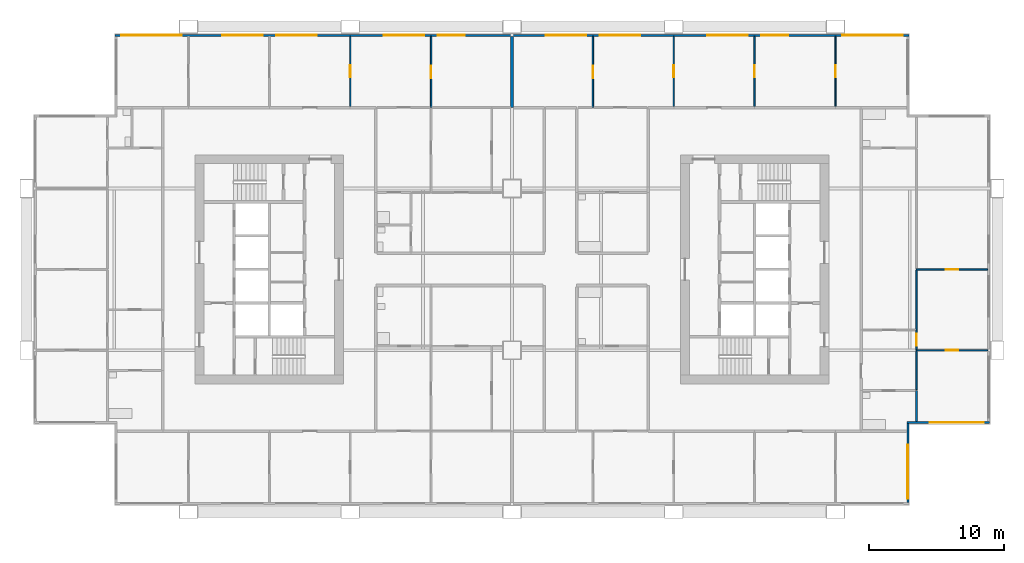
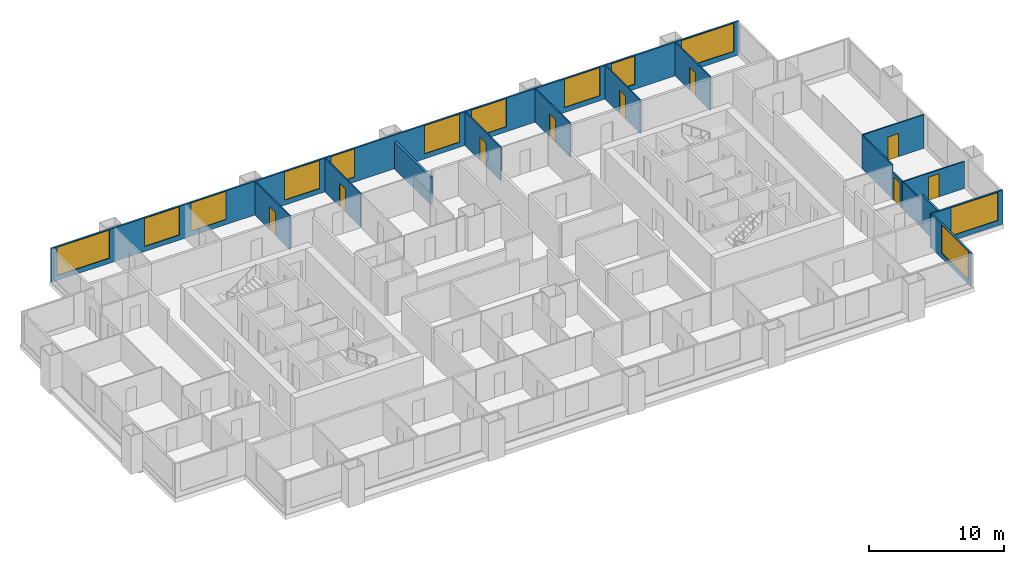
# One storey, part 8 of 11: 16 walls, 12 windows, 9 doors, 21 openings.
"""IFC4 building model written with IfcOpenShell, lengths in metres."""

from ifc_helpers import new_model, si_unit, direction, frame, frame_2d, origin, place, context, subcontext, project, spatial, rectangle, extrude, material, layer, layer_set, type_object, element, fill, save


model = new_model("IFC4")

# Units and contexts
model_context = context("Model", 3, precision=1e-05, world=origin(), true_north=direction((0.0, 1.0)))
body_context = subcontext(model_context, "Body", "Model", "MODEL_VIEW")
ifc_project = project(units=[si_unit("LENGTHUNIT", "METRE"), si_unit("AREAUNIT", "SQUARE_METRE"), si_unit("VOLUMEUNIT", "CUBIC_METRE"), si_unit("PLANEANGLEUNIT", "RADIAN"), si_unit("MASSUNIT", "GRAM", prefix="KILO")], contexts=[model_context])

# Site, building, storey
site_placement = place(None, origin())
site = spatial("IfcSite", under=ifc_project, at=site_placement, CompositionType="ELEMENT")
building_placement = place(site_placement, origin())
building = spatial("IfcBuilding", under=site, at=building_placement, Name="Kitamizu Gate Tower and Museum", CompositionType="ELEMENT")
storey_placement = place(building_placement, frame((0.0, 0.0, 127.64990234375)))
storey = spatial("IfcBuildingStorey", under=building, at=storey_placement, Name="L33", CompositionType="ELEMENT", Elevation=127.64990234375)

# Wall, opening, door
ifc_material_1 = material(Name="Gypsum board on galvanised stud")
ifc_layer_1 = layer(ifc_material_1, 0.10009765625)
ifc_layer_set_1 = layer_set([ifc_layer_1], Name="Gypsum board on galvanised stud")
wall_type_1 = type_object("IfcWallType", Name="Partition 100 NOT RATED", PredefinedType="PARTITIONING", material=ifc_layer_set_1)
wall_1_placement = place(storey_placement, frame((24.0, 42.10009765625, 0.0), z_axis=(0.0, 0.0, 1.0), x_axis=(0.0, 1.0, 0.0)))
wall_1 = element("IfcWall", 1, at=wall_1_placement, inside=storey, type_object=wall_type_1, Name="Partition L33-055", PredefinedType="PARTITIONING", context=body_context, shape_type="SweptSolid", body=[
    extrude(rectangle(XDim=5.179931640625, YDim=0.10009765625, at=frame_2d((2.58984375, 0.0))), origin(), (0.0, 0.0, 1.0), 3.050048828125),
])
opening_1_placement = place(wall_1_placement, frame((2.139892578125, 0.0, 0.0)))
opening_1 = element("IfcOpeningElement", 2, at=opening_1_placement, cuts=wall_1, Name="Opening L33-020", PredefinedType="OPENING", context=body_context, shape_type="SweptSolid", body=[
    extrude(rectangle(XDim=0.89990234375, YDim=2.10009765625, at=frame_2d((0.449951171875, 1.050048828125))), frame((0.0, 0.06005859375, 0.0), z_axis=(0.0, -1.0, 0.0), x_axis=(1.0, 0.0, 0.0)), (0.0, 0.0, 1.0), 0.1201171875),
])
ifc_material_2 = material(Name="Timber door set", Category="wood")
door_type = type_object("IfcDoorType", Name="Room door 900", OperationType="NOTDEFINED", PredefinedType="DOOR", material=ifc_material_2)
door_1_placement = place(opening_1_placement, frame((0.89990234375, 0.0, 0.0), x_axis=(-1.0, 0.0, 0.0)))
door_1 = element("IfcDoor", 3, at=door_1_placement, inside=storey, type_object=door_type, Name="Door L33-020", OperationType="SINGLE_SWING_RIGHT", OverallHeight=2.10009765625, OverallWidth=0.89990234375, PredefinedType="DOOR", context=body_context, shape_type="SweptSolid", body=[
    extrude(rectangle(XDim=0.89990234375, YDim=2.10009765625, at=frame_2d((0.449951171875, 1.050048828125))), frame((0.0, 0.02490234375, 0.0), z_axis=(0.0, -1.0, 0.0), x_axis=(1.0, 0.0, 0.0)), (0.0, 0.0, 1.0), 0.050048828125),
])
fill(opening_1, door_1)

wall_2_placement = place(storey_placement, frame((30.0, 42.0, 0.0), z_axis=(0.0, 0.0, 1.0), x_axis=(0.0, 1.0, 0.0)))
wall_2 = element("IfcWall", 4, at=wall_2_placement, inside=storey, type_object=wall_type_1, Name="Partition L33-057", PredefinedType="PARTITIONING", context=body_context, shape_type="SweptSolid", body=[
    extrude(rectangle(XDim=5.280029296875, YDim=0.10009765625, at=frame_2d((2.64013671875, 0.0))), origin(), (0.0, 0.0, 1.0), 3.050048828125),
])
opening_2_placement = place(wall_2_placement, frame((2.18994140625, 0.0, 0.0)))
opening_2 = element("IfcOpeningElement", 5, at=opening_2_placement, cuts=wall_2, Name="Opening L33-022", PredefinedType="OPENING", context=body_context, shape_type="SweptSolid", body=[
    extrude(rectangle(XDim=0.89990234375, YDim=2.10009765625, at=frame_2d((0.449951171875, 1.050048828125))), frame((0.0, 0.06005859375, 0.0), z_axis=(0.0, -1.0, 0.0), x_axis=(1.0, 0.0, 0.0)), (0.0, 0.0, 1.0), 0.1201171875),
])
door_2_placement = place(opening_2_placement, origin())
door_2 = element("IfcDoor", 6, at=door_2_placement, inside=storey, type_object=door_type, Name="Door L33-022", OperationType="SINGLE_SWING_LEFT", OverallHeight=2.10009765625, OverallWidth=0.89990234375, PredefinedType="DOOR", context=body_context, shape_type="SweptSolid", body=[
    extrude(rectangle(XDim=0.89990234375, YDim=2.10009765625, at=frame_2d((0.449951171875, 1.050048828125))), frame((0.0, 0.02490234375, 0.0), z_axis=(0.0, -1.0, 0.0), x_axis=(1.0, 0.0, 0.0)), (0.0, 0.0, 1.0), 0.050048828125),
])
fill(opening_2, door_2)

wall_3_placement = place(storey_placement, frame((42.0, 42.0, 0.0), z_axis=(0.0, 0.0, 1.0), x_axis=(0.0, 1.0, 0.0)))
wall_3 = element("IfcWall", 7, at=wall_3_placement, inside=storey, type_object=wall_type_1, Name="Partition L33-106", PredefinedType="PARTITIONING", context=body_context, shape_type="SweptSolid", body=[
    extrude(rectangle(XDim=5.280029296875, YDim=0.10009765625, at=frame_2d((2.64013671875, 0.0))), origin(), (0.0, 0.0, 1.0), 3.050048828125),
])
opening_3_placement = place(wall_3_placement, frame((2.18994140625, 0.0, 0.0)))
opening_3 = element("IfcOpeningElement", 8, at=opening_3_placement, cuts=wall_3, Name="Opening L33-042", PredefinedType="OPENING", context=body_context, shape_type="SweptSolid", body=[
    extrude(rectangle(XDim=0.89990234375, YDim=2.10009765625, at=frame_2d((0.449951171875, 1.050048828125))), frame((0.0, 0.06005859375, 0.0), z_axis=(0.0, -1.0, 0.0), x_axis=(1.0, 0.0, 0.0)), (0.0, 0.0, 1.0), 0.1201171875),
])
door_3_placement = place(opening_3_placement, origin())
door_3 = element("IfcDoor", 9, at=door_3_placement, inside=storey, type_object=door_type, Name="Door L33-042", OperationType="SINGLE_SWING_RIGHT", OverallHeight=2.10009765625, OverallWidth=0.89990234375, PredefinedType="DOOR", context=body_context, shape_type="SweptSolid", body=[
    extrude(rectangle(XDim=0.89990234375, YDim=2.10009765625, at=frame_2d((0.449951171875, 1.050048828125))), frame((0.0, 0.02490234375, 0.0), z_axis=(0.0, -1.0, 0.0), x_axis=(1.0, 0.0, 0.0)), (0.0, 0.0, 1.0), 0.050048828125),
])
fill(opening_3, door_3)

wall_4_placement = place(storey_placement, frame((48.0, 42.10009765625, 0.0), z_axis=(0.0, 0.0, 1.0), x_axis=(0.0, 1.0, 0.0)))
wall_4 = element("IfcWall", 10, at=wall_4_placement, inside=storey, type_object=wall_type_1, Name="Partition L33-109", PredefinedType="PARTITIONING", context=body_context, shape_type="SweptSolid", body=[
    extrude(rectangle(XDim=5.179931640625, YDim=0.10009765625, at=frame_2d((2.58984375, 0.0))), origin(), (0.0, 0.0, 1.0), 3.050048828125),
])
opening_4_placement = place(wall_4_placement, frame((2.139892578125, 0.0, 0.0)))
opening_4 = element("IfcOpeningElement", 11, at=opening_4_placement, cuts=wall_4, Name="Opening L33-039", PredefinedType="OPENING", context=body_context, shape_type="SweptSolid", body=[
    extrude(rectangle(XDim=0.89990234375, YDim=2.10009765625, at=frame_2d((0.449951171875, 1.050048828125))), frame((0.0, 0.06005859375, 0.0), z_axis=(0.0, -1.0, 0.0), x_axis=(1.0, 0.0, 0.0)), (0.0, 0.0, 1.0), 0.1201171875),
])
door_4_placement = place(opening_4_placement, origin())
door_4 = element("IfcDoor", 12, at=door_4_placement, inside=storey, type_object=door_type, Name="Door L33-039", OperationType="SINGLE_SWING_LEFT", OverallHeight=2.10009765625, OverallWidth=0.89990234375, PredefinedType="DOOR", context=body_context, shape_type="SweptSolid", body=[
    extrude(rectangle(XDim=0.89990234375, YDim=2.10009765625, at=frame_2d((0.449951171875, 1.050048828125))), frame((0.0, 0.02490234375, 0.0), z_axis=(0.0, -1.0, 0.0), x_axis=(1.0, 0.0, 0.0)), (0.0, 0.0, 1.0), 0.050048828125),
])
fill(opening_4, door_4)

wall_5_placement = place(storey_placement, frame((54.0, 42.10009765625, 0.0), z_axis=(0.0, 0.0, 1.0), x_axis=(0.0, 1.0, 0.0)))
wall_5 = element("IfcWall", 13, at=wall_5_placement, inside=storey, type_object=wall_type_1, Name="Partition L33-112", PredefinedType="PARTITIONING", context=body_context, shape_type="SweptSolid", body=[
    extrude(rectangle(XDim=5.179931640625, YDim=0.10009765625, at=frame_2d((2.58984375, 0.0))), origin(), (0.0, 0.0, 1.0), 3.050048828125),
])
opening_5_placement = place(wall_5_placement, frame((2.139892578125, 0.0, 0.0)))
opening_5 = element("IfcOpeningElement", 14, at=opening_5_placement, cuts=wall_5, Name="Opening L33-040", PredefinedType="OPENING", context=body_context, shape_type="SweptSolid", body=[
    extrude(rectangle(XDim=0.89990234375, YDim=2.10009765625, at=frame_2d((0.449951171875, 1.050048828125))), frame((0.0, 0.06005859375, 0.0), z_axis=(0.0, -1.0, 0.0), x_axis=(1.0, 0.0, 0.0)), (0.0, 0.0, 1.0), 0.1201171875),
])
door_5_placement = place(opening_5_placement, frame((0.89990234375, 0.0, 0.0), x_axis=(-1.0, 0.0, 0.0)))
door_5 = element("IfcDoor", 15, at=door_5_placement, inside=storey, type_object=door_type, Name="Door L33-040", OperationType="SINGLE_SWING_LEFT", OverallHeight=2.10009765625, OverallWidth=0.89990234375, PredefinedType="DOOR", context=body_context, shape_type="SweptSolid", body=[
    extrude(rectangle(XDim=0.89990234375, YDim=2.10009765625, at=frame_2d((0.449951171875, 1.050048828125))), frame((0.0, 0.02490234375, 0.0), z_axis=(0.0, -1.0, 0.0), x_axis=(1.0, 0.0, 0.0)), (0.0, 0.0, 1.0), 0.050048828125),
])
fill(opening_5, door_5)

wall_6_placement = place(storey_placement, frame((60.0, 42.10009765625, 0.0), z_axis=(0.0, 0.0, 1.0), x_axis=(0.0, 1.0, 0.0)))
wall_6 = element("IfcWall", 16, at=wall_6_placement, inside=storey, type_object=wall_type_1, Name="Partition L33-114", PredefinedType="PARTITIONING", context=body_context, shape_type="SweptSolid", body=[
    extrude(rectangle(XDim=5.179931640625, YDim=0.10009765625, at=frame_2d((2.58984375, 0.0))), origin(), (0.0, 0.0, 1.0), 3.050048828125),
])
opening_6_placement = place(wall_6_placement, frame((2.139892578125, 0.0, 0.0)))
opening_6 = element("IfcOpeningElement", 17, at=opening_6_placement, cuts=wall_6, Name="Opening L33-041", PredefinedType="OPENING", context=body_context, shape_type="SweptSolid", body=[
    extrude(rectangle(XDim=0.89990234375, YDim=2.10009765625, at=frame_2d((0.449951171875, 1.050048828125))), frame((0.0, 0.06005859375, 0.0), z_axis=(0.0, -1.0, 0.0), x_axis=(1.0, 0.0, 0.0)), (0.0, 0.0, 1.0), 0.1201171875),
])
door_6_placement = place(opening_6_placement, frame((0.89990234375, 0.0, 0.0), x_axis=(-1.0, 0.0, 0.0)))
door_6 = element("IfcDoor", 18, at=door_6_placement, inside=storey, type_object=door_type, Name="Door L33-041", OperationType="SINGLE_SWING_RIGHT", OverallHeight=2.10009765625, OverallWidth=0.89990234375, PredefinedType="DOOR", context=body_context, shape_type="SweptSolid", body=[
    extrude(rectangle(XDim=0.89990234375, YDim=2.10009765625, at=frame_2d((0.449951171875, 1.050048828125))), frame((0.0, 0.02490234375, 0.0), z_axis=(0.0, -1.0, 0.0), x_axis=(1.0, 0.0, 0.0)), (0.0, 0.0, 1.0), 0.050048828125),
])
fill(opening_6, door_6)

wall_7_placement = place(storey_placement, frame((71.280029296875, 24.0, 0.0), z_axis=(0.0, 0.0, 1.0), x_axis=(-1.0, 0.0, 0.0)))
wall_7 = element("IfcWall", 19, at=wall_7_placement, inside=storey, type_object=wall_type_1, Name="Partition L33-125", PredefinedType="PARTITIONING", context=body_context, shape_type="SweptSolid", body=[
    extrude(rectangle(XDim=5.280029296875, YDim=0.10009765625, at=frame_2d((2.64013671875, 0.0))), origin(), (0.0, 0.0, 1.0), 2.4501953125),
])
opening_7_placement = place(wall_7_placement, frame((2.18994140625, 0.0, 0.0)))
opening_7 = element("IfcOpeningElement", 20, at=opening_7_placement, cuts=wall_7, Name="Opening L33-049", PredefinedType="OPENING", context=body_context, shape_type="SweptSolid", body=[
    extrude(rectangle(XDim=0.89990234375, YDim=2.10009765625, at=frame_2d((0.449951171875, 1.050048828125))), frame((0.0, 0.06005859375, 0.0), z_axis=(0.0, -1.0, 0.0), x_axis=(1.0, 0.0, 0.0)), (0.0, 0.0, 1.0), 0.1201171875),
])
door_7_placement = place(opening_7_placement, origin())
door_7 = element("IfcDoor", 21, at=door_7_placement, inside=storey, type_object=door_type, Name="Door L33-049", OperationType="SINGLE_SWING_LEFT", OverallHeight=2.10009765625, OverallWidth=0.89990234375, PredefinedType="DOOR", context=body_context, shape_type="SweptSolid", body=[
    extrude(rectangle(XDim=0.89990234375, YDim=2.10009765625, at=frame_2d((0.449951171875, 1.050048828125))), frame((0.0, 0.02490234375, 0.0), z_axis=(0.0, -1.0, 0.0), x_axis=(1.0, 0.0, 0.0)), (0.0, 0.0, 1.0), 0.050048828125),
])
fill(opening_7, door_7)

# Wall
wall_8_placement = place(storey_placement, frame((66.0, 23.949951171875, 0.0), z_axis=(0.0, 0.0, 1.0), x_axis=(0.0, -1.0, 0.0)))
element("IfcWall", 22, at=wall_8_placement, inside=storey, type_object=wall_type_1, Name="Partition L33-127", PredefinedType="PARTITIONING", context=body_context, shape_type="SweptSolid", body=[
    extrude(rectangle(XDim=2.875, YDim=0.10009765625, at=frame_2d((1.4375, 0.0))), origin(), (0.0, 0.0, 1.0), 2.4501953125),
])

# Wall, opening, door
wall_9_placement = place(storey_placement, frame((71.280029296875, 30.0, 0.0), z_axis=(0.0, 0.0, 1.0), x_axis=(-1.0, 0.0, 0.0)))
wall_9 = element("IfcWall", 23, at=wall_9_placement, inside=storey, type_object=wall_type_1, Name="Partition L33-128", PredefinedType="PARTITIONING", context=body_context, shape_type="SweptSolid", body=[
    extrude(rectangle(XDim=5.280029296875, YDim=0.10009765625, at=frame_2d((2.64013671875, 0.0))), origin(), (0.0, 0.0, 1.0), 3.050048828125),
])
opening_8_placement = place(wall_9_placement, frame((2.18994140625, 0.0, 0.0)))
opening_8 = element("IfcOpeningElement", 24, at=opening_8_placement, cuts=wall_9, Name="Opening L33-048", PredefinedType="OPENING", context=body_context, shape_type="SweptSolid", body=[
    extrude(rectangle(XDim=0.89990234375, YDim=2.10009765625, at=frame_2d((0.449951171875, 1.050048828125))), frame((0.0, 0.06005859375, 0.0), z_axis=(0.0, -1.0, 0.0), x_axis=(1.0, 0.0, 0.0)), (0.0, 0.0, 1.0), 0.1201171875),
])
door_8_placement = place(opening_8_placement, origin())
door_8 = element("IfcDoor", 25, at=door_8_placement, inside=storey, type_object=door_type, Name="Door L33-048", OperationType="SINGLE_SWING_RIGHT", OverallHeight=2.10009765625, OverallWidth=0.89990234375, PredefinedType="DOOR", context=body_context, shape_type="SweptSolid", body=[
    extrude(rectangle(XDim=0.89990234375, YDim=2.10009765625, at=frame_2d((0.449951171875, 1.050048828125))), frame((0.0, 0.02490234375, 0.0), z_axis=(0.0, -1.0, 0.0), x_axis=(1.0, 0.0, 0.0)), (0.0, 0.0, 1.0), 0.050048828125),
])
fill(opening_8, door_8)

wall_10_placement = place(storey_placement, frame((66.0, 25.5, 0.0), z_axis=(0.0, 0.0, 1.0), x_axis=(0.0, -1.0, 0.0)))
wall_10 = element("IfcWall", 26, at=wall_10_placement, inside=storey, type_object=wall_type_1, Name="Partition L33-129", PredefinedType="PARTITIONING", context=body_context, shape_type="SweptSolid", body=[
    extrude(rectangle(XDim=1.449951171875, YDim=0.10009765625, at=frame_2d((0.72509765625, 0.0))), origin(), (0.0, 0.0, 1.0), 2.4501953125),
])
opening_9_placement = place(wall_10_placement, frame((0.27490234375, 0.0, 0.0)))
opening_9 = element("IfcOpeningElement", 27, at=opening_9_placement, cuts=wall_10, Name="Opening L33-046", PredefinedType="OPENING", context=body_context, shape_type="SweptSolid", body=[
    extrude(rectangle(XDim=0.89990234375, YDim=2.10009765625, at=frame_2d((0.449951171875, 1.050048828125))), frame((0.0, 0.06005859375, 0.0), z_axis=(0.0, -1.0, 0.0), x_axis=(1.0, 0.0, 0.0)), (0.0, 0.0, 1.0), 0.1201171875),
])
door_9_placement = place(opening_9_placement, origin())
door_9 = element("IfcDoor", 28, at=door_9_placement, inside=storey, type_object=door_type, Name="Door L33-046", OperationType="SINGLE_SWING_LEFT", OverallHeight=2.10009765625, OverallWidth=0.89990234375, PredefinedType="DOOR", context=body_context, shape_type="SweptSolid", body=[
    extrude(rectangle(XDim=0.89990234375, YDim=2.10009765625, at=frame_2d((0.449951171875, 1.050048828125))), frame((0.0, 0.02490234375, 0.0), z_axis=(0.0, -1.0, 0.0), x_axis=(1.0, 0.0, 0.0)), (0.0, 0.0, 1.0), 0.050048828125),
])
fill(opening_9, door_9)

# Walls
wall_11_placement = place(storey_placement, frame((66.0, 29.949951171875, 0.0), z_axis=(0.0, 0.0, 1.0), x_axis=(0.0, -1.0, 0.0)))
element("IfcWall", 29, at=wall_11_placement, inside=storey, type_object=wall_type_1, Name="Partition L33-130", PredefinedType="PARTITIONING", context=body_context, shape_type="SweptSolid", body=[
    extrude(rectangle(XDim=4.449951171875, YDim=0.10009765625, at=frame_2d((2.22509765625, 0.0))), origin(), (0.0, 0.0, 1.0), 3.050048828125),
])
ifc_material_3 = material(Name="Gypsum board on galvanised stud")
ifc_layer_2 = layer(ifc_material_3, 0.14990234375)
ifc_layer_set_2 = layer_set([ifc_layer_2], Name="Gypsum board on galvanised stud")
wall_type_2 = type_object("IfcWallType", Name="Partition 150", PredefinedType="PARTITIONING", material=ifc_layer_set_2)
wall_12_placement = place(storey_placement, frame((66.0, 21.0, 0.0), z_axis=(0.0, 0.0, 1.0), x_axis=(0.0, -1.0, 0.0)))
element("IfcWall", 30, at=wall_12_placement, inside=storey, type_object=wall_type_2, Name="Partition L33-126", PredefinedType="PARTITIONING", context=body_context, shape_type="SweptSolid", body=[
    extrude(rectangle(XDim=2.280029296875, YDim=0.14990234375, at=frame_2d((1.14013671875, 0.0))), origin(), (0.0, 0.0, 1.0), 3.050048828125),
])
ifc_material_4 = material(Name="Gypsum board on galvanised stud")
ifc_layer_3 = layer(ifc_material_4, 0.199951171875)
ifc_layer_set_3 = layer_set([ifc_layer_3], Name="Gypsum board on galvanised stud")
wall_type_3 = type_object("IfcWallType", Name="Partition 200", PredefinedType="PARTITIONING", material=ifc_layer_set_3)
wall_13_placement = place(storey_placement, frame((36.0, 42.0, 0.0), z_axis=(0.0, 0.0, 1.0), x_axis=(0.0, 1.0, 0.0)))
element("IfcWall", 31, at=wall_13_placement, inside=storey, type_object=wall_type_3, Name="Partition L33-062", PredefinedType="PARTITIONING", context=body_context, shape_type="SweptSolid", body=[
    extrude(rectangle(XDim=5.280029296875, YDim=0.199951171875, at=frame_2d((2.64013671875, 0.0))), origin(), (0.0, 0.0, 1.0), 2.4501953125),
])

# Wall, opening, window
ifc_material_5 = material(Name="Bronze anodised aluminium frame with insulated spandrel and tinted glass", Category="aluminium")
ifc_layer_4 = layer(ifc_material_5, 0.14990234375)
ifc_layer_set_4 = layer_set([ifc_layer_4], Name="Bronze anodised aluminium frame with insulated spandrel and tinted glass")
wall_type_4 = type_object("IfcWallType", Name="WINDOW WALL 150 BRONZE FRAME EI 30", PredefinedType="ELEMENTEDWALL", material=ifc_layer_set_4)
wall_14_placement = place(storey_placement, frame((65.364990234375, 12.7099609375, 0.0), z_axis=(0.0, 0.0, 1.0), x_axis=(0.0, 1.0, 0.0)))
wall_14 = element("IfcWall", 32, at=wall_14_placement, inside=storey, type_object=wall_type_4, Name="Window wall east L33", PredefinedType="ELEMENTEDWALL", context=body_context, shape_type="SweptSolid", body=[
    extrude(rectangle(XDim=5.85009765625, YDim=0.14990234375, at=frame_2d((2.925048828125, 0.0))), origin(), (0.0, 0.0, 1.0), 3.050048828125),
])
opening_10_placement = place(wall_14_placement, frame((0.2900390625, 0.0, 0.449951171875)))
opening_10 = element("IfcOpeningElement", 33, at=opening_10_placement, cuts=wall_14, Name="Opening W16", PredefinedType="OPENING", context=body_context, shape_type="SweptSolid", body=[
    extrude(rectangle(XDim=4.0, YDim=2.550048828125, at=frame_2d((2.0, 1.27490234375))), frame((0.0, 0.0849609375, 0.0), z_axis=(0.0, -1.0, 0.0), x_axis=(1.0, 0.0, 0.0)), (0.0, 0.0, 1.0), 0.169921875),
])
ifc_material_6 = material(Name="Bronze anodised aluminium frame, tinted triple glazing", Category="aluminium")
window_type_1 = type_object("IfcWindowType", Name="WINDOW 4000 x 2550 SILL 450", PartitioningType="SINGLE_PANEL", PredefinedType="WINDOW", material=ifc_material_6)
window_1_placement = place(opening_10_placement, origin())
window_1 = element("IfcWindow", 34, at=window_1_placement, inside=storey, type_object=window_type_1, Name="Window W16 L33", OverallHeight=2.550048828125, OverallWidth=4.0, PartitioningType="SINGLE_PANEL", PredefinedType="WINDOW", context=body_context, shape_type="SweptSolid", body=[
    extrude(rectangle(XDim=4.0, YDim=2.550048828125, at=frame_2d((2.0, 1.27490234375))), frame((0.0, 0.030029296875, 0.0), z_axis=(0.0, -1.0, 0.0), x_axis=(1.0, 0.0, 0.0)), (0.0, 0.0, 1.0), 0.06005859375),
])
fill(opening_10, window_1)

wall_15_placement = place(storey_placement, frame((65.2900390625, 18.635009765625, 0.0), z_axis=(0.0, 0.0, 1.0), x_axis=(1.0, 0.0, 0.0)))
wall_15 = element("IfcWall", 35, at=wall_15_placement, inside=storey, type_object=wall_type_4, Name="Window wall south L33", PredefinedType="ELEMENTEDWALL", context=body_context, shape_type="SweptSolid", body=[
    extrude(rectangle(XDim=6.14990234375, YDim=0.14990234375, at=frame_2d((3.074951171875, 0.0))), origin(), (0.0, 0.0, 1.0), 3.050048828125),
])
opening_11_placement = place(wall_15_placement, frame((1.7099609375, 0.0, 0.449951171875)))
opening_11 = element("IfcOpeningElement", 36, at=opening_11_placement, cuts=wall_15, Name="Opening W16", PredefinedType="OPENING", context=body_context, shape_type="SweptSolid", body=[
    extrude(rectangle(XDim=4.0, YDim=2.550048828125, at=frame_2d((2.0, 1.27490234375))), frame((0.0, 0.0849609375, 0.0), z_axis=(0.0, -1.0, 0.0), x_axis=(1.0, 0.0, 0.0)), (0.0, 0.0, 1.0), 0.169921875),
])
window_2_placement = place(opening_11_placement, origin())
window_2 = element("IfcWindow", 37, at=window_2_placement, inside=storey, type_object=window_type_1, Name="Window W16 L33", OverallHeight=2.550048828125, OverallWidth=4.0, PartitioningType="SINGLE_PANEL", PredefinedType="WINDOW", context=body_context, shape_type="SweptSolid", body=[
    extrude(rectangle(XDim=4.0, YDim=2.550048828125, at=frame_2d((2.0, 1.27490234375))), frame((0.0, 0.030029296875, 0.0), z_axis=(0.0, -1.0, 0.0), x_axis=(1.0, 0.0, 0.0)), (0.0, 0.0, 1.0), 0.06005859375),
])
fill(opening_11, window_2)

# Wall, openings, windows
wall_16_placement = place(storey_placement, frame((6.56005859375, 47.364990234375, 0.0), z_axis=(0.0, 0.0, 1.0), x_axis=(1.0, 0.0, 0.0)))
wall_16 = element("IfcWall", 38, at=wall_16_placement, inside=storey, type_object=wall_type_4, Name="Window wall north L33", PredefinedType="ELEMENTEDWALL", context=body_context, shape_type="SweptSolid", body=[
    extrude(rectangle(XDim=58.8798828125, YDim=0.14990234375, at=frame_2d((29.43994140625, 0.0))), origin(), (0.0, 0.0, 1.0), 3.050048828125),
])
opening_12_placement = place(wall_16_placement, frame((0.43994140625, 0.0, 0.449951171875)))
opening_12 = element("IfcOpeningElement", 39, at=opening_12_placement, cuts=wall_16, Name="Opening W15", PredefinedType="OPENING", context=body_context, shape_type="SweptSolid", body=[
    extrude(rectangle(XDim=4.5, YDim=2.550048828125, at=frame_2d((2.25, 1.27490234375))), frame((0.0, 0.0849609375, 0.0), z_axis=(0.0, -1.0, 0.0), x_axis=(1.0, 0.0, 0.0)), (0.0, 0.0, 1.0), 0.169921875),
])
opening_13_placement = place(wall_16_placement, frame((7.93994140625, 0.0, 0.449951171875)))
opening_13 = element("IfcOpeningElement", 40, at=opening_13_placement, cuts=wall_16, Name="Opening W33", PredefinedType="OPENING", context=body_context, shape_type="SweptSolid", body=[
    extrude(rectangle(XDim=3.0, YDim=2.550048828125, at=frame_2d((1.5, 1.27490234375))), frame((0.0, 0.0849609375, 0.0), z_axis=(0.0, -1.0, 0.0), x_axis=(1.0, 0.0, 0.0)), (0.0, 0.0, 1.0), 0.169921875),
])
opening_14_placement = place(wall_16_placement, frame((11.93994140625, 0.0, 0.449951171875)))
opening_14 = element("IfcOpeningElement", 41, at=opening_14_placement, cuts=wall_16, Name="Opening W33", PredefinedType="OPENING", context=body_context, shape_type="SweptSolid", body=[
    extrude(rectangle(XDim=3.0, YDim=2.550048828125, at=frame_2d((1.5, 1.27490234375))), frame((0.0, 0.0849609375, 0.0), z_axis=(0.0, -1.0, 0.0), x_axis=(1.0, 0.0, 0.0)), (0.0, 0.0, 1.0), 0.169921875),
])
opening_15_placement = place(wall_16_placement, frame((19.93994140625, 0.0, 0.449951171875)))
opening_15 = element("IfcOpeningElement", 42, at=opening_15_placement, cuts=wall_16, Name="Opening W33", PredefinedType="OPENING", context=body_context, shape_type="SweptSolid", body=[
    extrude(rectangle(XDim=3.0, YDim=2.550048828125, at=frame_2d((1.5, 1.27490234375))), frame((0.0, 0.0849609375, 0.0), z_axis=(0.0, -1.0, 0.0), x_axis=(1.0, 0.0, 0.0)), (0.0, 0.0, 1.0), 0.169921875),
])
opening_16_placement = place(wall_16_placement, frame((23.93994140625, 0.0, 0.449951171875)))
opening_16 = element("IfcOpeningElement", 43, at=opening_16_placement, cuts=wall_16, Name="Opening W2", PredefinedType="OPENING", context=body_context, shape_type="SweptSolid", body=[
    extrude(rectangle(XDim=2.0, YDim=2.550048828125, at=frame_2d((1.0, 1.27490234375))), frame((0.0, 0.0849609375, 0.0), z_axis=(0.0, -1.0, 0.0), x_axis=(1.0, 0.0, 0.0)), (0.0, 0.0, 1.0), 0.169921875),
])
opening_17_placement = place(wall_16_placement, frame((31.93994140625, 0.0, 0.449951171875)))
opening_17 = element("IfcOpeningElement", 44, at=opening_17_placement, cuts=wall_16, Name="Opening W33", PredefinedType="OPENING", context=body_context, shape_type="SweptSolid", body=[
    extrude(rectangle(XDim=3.0, YDim=2.550048828125, at=frame_2d((1.5, 1.27490234375))), frame((0.0, 0.0849609375, 0.0), z_axis=(0.0, -1.0, 0.0), x_axis=(1.0, 0.0, 0.0)), (0.0, 0.0, 1.0), 0.169921875),
])
opening_18_placement = place(wall_16_placement, frame((35.93994140625, 0.0, 0.449951171875)))
opening_18 = element("IfcOpeningElement", 45, at=opening_18_placement, cuts=wall_16, Name="Opening W33", PredefinedType="OPENING", context=body_context, shape_type="SweptSolid", body=[
    extrude(rectangle(XDim=3.0, YDim=2.550048828125, at=frame_2d((1.5, 1.27490234375))), frame((0.0, 0.0849609375, 0.0), z_axis=(0.0, -1.0, 0.0), x_axis=(1.0, 0.0, 0.0)), (0.0, 0.0, 1.0), 0.169921875),
])
opening_19_placement = place(wall_16_placement, frame((43.93994140625, 0.0, 0.449951171875)))
opening_19 = element("IfcOpeningElement", 46, at=opening_19_placement, cuts=wall_16, Name="Opening W33", PredefinedType="OPENING", context=body_context, shape_type="SweptSolid", body=[
    extrude(rectangle(XDim=3.0, YDim=2.550048828125, at=frame_2d((1.5, 1.27490234375))), frame((0.0, 0.0849609375, 0.0), z_axis=(0.0, -1.0, 0.0), x_axis=(1.0, 0.0, 0.0)), (0.0, 0.0, 1.0), 0.169921875),
])
opening_20_placement = place(wall_16_placement, frame((47.93994140625, 0.0, 0.449951171875)))
opening_20 = element("IfcOpeningElement", 47, at=opening_20_placement, cuts=wall_16, Name="Opening W2", PredefinedType="OPENING", context=body_context, shape_type="SweptSolid", body=[
    extrude(rectangle(XDim=2.0, YDim=2.550048828125, at=frame_2d((1.0, 1.27490234375))), frame((0.0, 0.0849609375, 0.0), z_axis=(0.0, -1.0, 0.0), x_axis=(1.0, 0.0, 0.0)), (0.0, 0.0, 1.0), 0.169921875),
])
opening_21_placement = place(wall_16_placement, frame((53.93994140625, 0.0, 0.449951171875)))
opening_21 = element("IfcOpeningElement", 48, at=opening_21_placement, cuts=wall_16, Name="Opening W15", PredefinedType="OPENING", context=body_context, shape_type="SweptSolid", body=[
    extrude(rectangle(XDim=4.5, YDim=2.550048828125, at=frame_2d((2.25, 1.27490234375))), frame((0.0, 0.0849609375, 0.0), z_axis=(0.0, -1.0, 0.0), x_axis=(1.0, 0.0, 0.0)), (0.0, 0.0, 1.0), 0.169921875),
])
ifc_material_7 = material(Name="Bronze anodised aluminium frame, tinted triple glazing", Category="aluminium")
window_type_2 = type_object("IfcWindowType", Name="WINDOW 2000 x 2550 SILL 450", PartitioningType="SINGLE_PANEL", PredefinedType="WINDOW", material=ifc_material_7)
window_3_placement = place(opening_16_placement, origin())
window_3 = element("IfcWindow", 49, at=window_3_placement, inside=storey, type_object=window_type_2, Name="Window W2 L33", OverallHeight=2.550048828125, OverallWidth=2.0, PartitioningType="SINGLE_PANEL", PredefinedType="WINDOW", context=body_context, shape_type="SweptSolid", body=[
    extrude(rectangle(XDim=2.0, YDim=2.550048828125, at=frame_2d((1.0, 1.27490234375))), frame((0.0, 0.030029296875, 0.0), z_axis=(0.0, -1.0, 0.0), x_axis=(1.0, 0.0, 0.0)), (0.0, 0.0, 1.0), 0.06005859375),
])
fill(opening_16, window_3)
window_4_placement = place(opening_20_placement, origin())
window_4 = element("IfcWindow", 50, at=window_4_placement, inside=storey, type_object=window_type_2, Name="Window W2 L33", OverallHeight=2.550048828125, OverallWidth=2.0, PartitioningType="SINGLE_PANEL", PredefinedType="WINDOW", context=body_context, shape_type="SweptSolid", body=[
    extrude(rectangle(XDim=2.0, YDim=2.550048828125, at=frame_2d((1.0, 1.27490234375))), frame((0.0, 0.030029296875, 0.0), z_axis=(0.0, -1.0, 0.0), x_axis=(1.0, 0.0, 0.0)), (0.0, 0.0, 1.0), 0.06005859375),
])
fill(opening_20, window_4)
ifc_material_8 = material(Name="Bronze anodised aluminium frame, tinted triple glazing", Category="aluminium")
window_type_3 = type_object("IfcWindowType", Name="WINDOW 3000 x 2550 SILL 450", PartitioningType="SINGLE_PANEL", PredefinedType="WINDOW", material=ifc_material_8)
window_5_placement = place(opening_13_placement, origin())
window_5 = element("IfcWindow", 51, at=window_5_placement, inside=storey, type_object=window_type_3, Name="Window W33 L33", OverallHeight=2.550048828125, OverallWidth=3.0, PartitioningType="SINGLE_PANEL", PredefinedType="WINDOW", context=body_context, shape_type="SweptSolid", body=[
    extrude(rectangle(XDim=3.0, YDim=2.550048828125, at=frame_2d((1.5, 1.27490234375))), frame((0.0, 0.030029296875, 0.0), z_axis=(0.0, -1.0, 0.0), x_axis=(1.0, 0.0, 0.0)), (0.0, 0.0, 1.0), 0.06005859375),
])
fill(opening_13, window_5)
window_6_placement = place(opening_14_placement, origin())
window_6 = element("IfcWindow", 52, at=window_6_placement, inside=storey, type_object=window_type_3, Name="Window W33 L33", OverallHeight=2.550048828125, OverallWidth=3.0, PartitioningType="SINGLE_PANEL", PredefinedType="WINDOW", context=body_context, shape_type="SweptSolid", body=[
    extrude(rectangle(XDim=3.0, YDim=2.550048828125, at=frame_2d((1.5, 1.27490234375))), frame((0.0, 0.030029296875, 0.0), z_axis=(0.0, -1.0, 0.0), x_axis=(1.0, 0.0, 0.0)), (0.0, 0.0, 1.0), 0.06005859375),
])
fill(opening_14, window_6)
window_7_placement = place(opening_15_placement, origin())
window_7 = element("IfcWindow", 53, at=window_7_placement, inside=storey, type_object=window_type_3, Name="Window W33 L33", OverallHeight=2.550048828125, OverallWidth=3.0, PartitioningType="SINGLE_PANEL", PredefinedType="WINDOW", context=body_context, shape_type="SweptSolid", body=[
    extrude(rectangle(XDim=3.0, YDim=2.550048828125, at=frame_2d((1.5, 1.27490234375))), frame((0.0, 0.030029296875, 0.0), z_axis=(0.0, -1.0, 0.0), x_axis=(1.0, 0.0, 0.0)), (0.0, 0.0, 1.0), 0.06005859375),
])
fill(opening_15, window_7)
window_8_placement = place(opening_17_placement, origin())
window_8 = element("IfcWindow", 54, at=window_8_placement, inside=storey, type_object=window_type_3, Name="Window W33 L33", OverallHeight=2.550048828125, OverallWidth=3.0, PartitioningType="SINGLE_PANEL", PredefinedType="WINDOW", context=body_context, shape_type="SweptSolid", body=[
    extrude(rectangle(XDim=3.0, YDim=2.550048828125, at=frame_2d((1.5, 1.27490234375))), frame((0.0, 0.030029296875, 0.0), z_axis=(0.0, -1.0, 0.0), x_axis=(1.0, 0.0, 0.0)), (0.0, 0.0, 1.0), 0.06005859375),
])
fill(opening_17, window_8)
window_9_placement = place(opening_18_placement, origin())
window_9 = element("IfcWindow", 55, at=window_9_placement, inside=storey, type_object=window_type_3, Name="Window W33 L33", OverallHeight=2.550048828125, OverallWidth=3.0, PartitioningType="SINGLE_PANEL", PredefinedType="WINDOW", context=body_context, shape_type="SweptSolid", body=[
    extrude(rectangle(XDim=3.0, YDim=2.550048828125, at=frame_2d((1.5, 1.27490234375))), frame((0.0, 0.030029296875, 0.0), z_axis=(0.0, -1.0, 0.0), x_axis=(1.0, 0.0, 0.0)), (0.0, 0.0, 1.0), 0.06005859375),
])
fill(opening_18, window_9)
window_10_placement = place(opening_19_placement, origin())
window_10 = element("IfcWindow", 56, at=window_10_placement, inside=storey, type_object=window_type_3, Name="Window W33 L33", OverallHeight=2.550048828125, OverallWidth=3.0, PartitioningType="SINGLE_PANEL", PredefinedType="WINDOW", context=body_context, shape_type="SweptSolid", body=[
    extrude(rectangle(XDim=3.0, YDim=2.550048828125, at=frame_2d((1.5, 1.27490234375))), frame((0.0, 0.030029296875, 0.0), z_axis=(0.0, -1.0, 0.0), x_axis=(1.0, 0.0, 0.0)), (0.0, 0.0, 1.0), 0.06005859375),
])
fill(opening_19, window_10)
ifc_material_9 = material(Name="Bronze anodised aluminium frame, tinted triple glazing", Category="aluminium")
window_type_4 = type_object("IfcWindowType", Name="WINDOW 4500 x 2550 SILL 450", PartitioningType="SINGLE_PANEL", PredefinedType="WINDOW", material=ifc_material_9)
window_11_placement = place(opening_12_placement, origin())
window_11 = element("IfcWindow", 57, at=window_11_placement, inside=storey, type_object=window_type_4, Name="Window W15 L33", OverallHeight=2.550048828125, OverallWidth=4.5, PartitioningType="SINGLE_PANEL", PredefinedType="WINDOW", context=body_context, shape_type="SweptSolid", body=[
    extrude(rectangle(XDim=4.5, YDim=2.550048828125, at=frame_2d((2.25, 1.27490234375))), frame((0.0, 0.030029296875, 0.0), z_axis=(0.0, -1.0, 0.0), x_axis=(1.0, 0.0, 0.0)), (0.0, 0.0, 1.0), 0.06005859375),
])
fill(opening_12, window_11)
window_12_placement = place(opening_21_placement, origin())
window_12 = element("IfcWindow", 58, at=window_12_placement, inside=storey, type_object=window_type_4, Name="Window W15 L33", OverallHeight=2.550048828125, OverallWidth=4.5, PartitioningType="SINGLE_PANEL", PredefinedType="WINDOW", context=body_context, shape_type="SweptSolid", body=[
    extrude(rectangle(XDim=4.5, YDim=2.550048828125, at=frame_2d((2.25, 1.27490234375))), frame((0.0, 0.030029296875, 0.0), z_axis=(0.0, -1.0, 0.0), x_axis=(1.0, 0.0, 0.0)), (0.0, 0.0, 1.0), 0.06005859375),
])
fill(opening_21, window_12)

save(model, "model.ifc")
